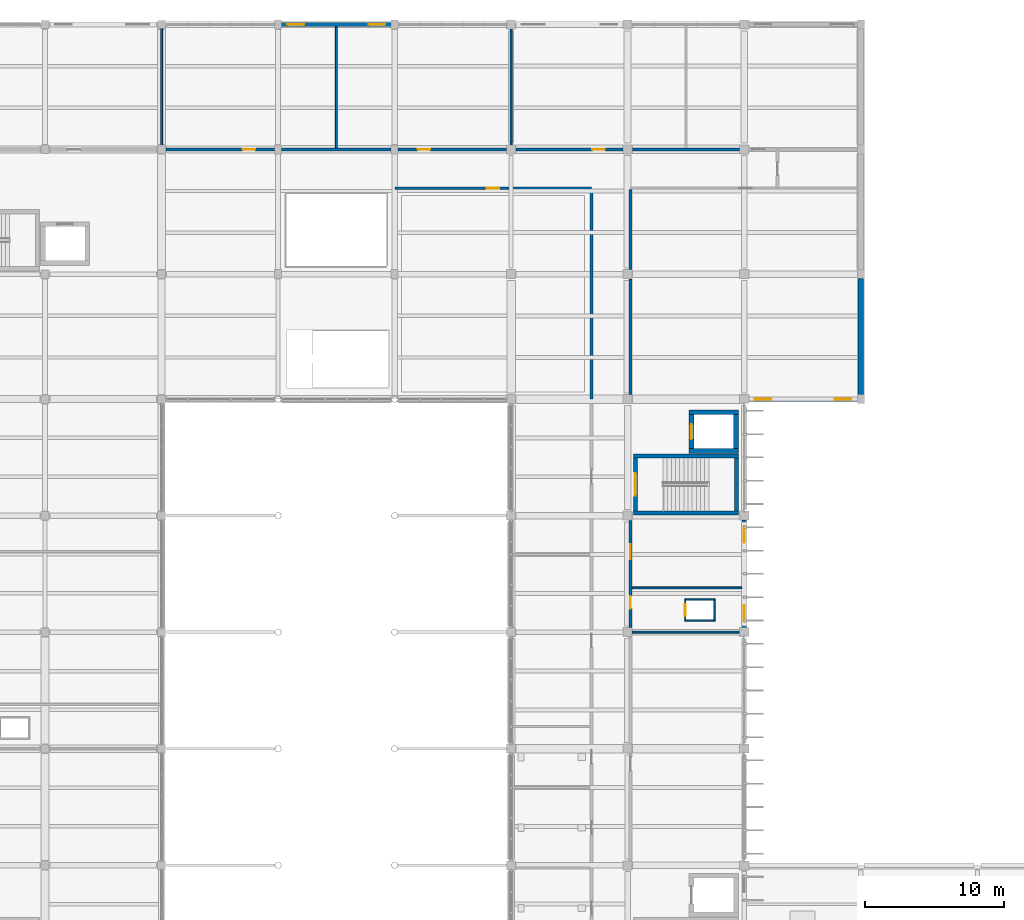
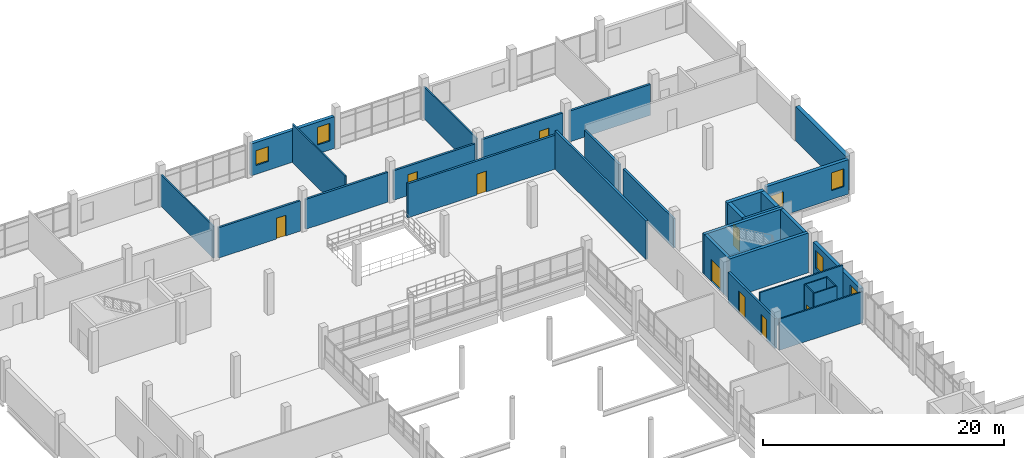
# One storey, part 89 of 101: 31 walls, 9 doors, 6 windows, 15 openings.
"""IFC4 building model written with IfcOpenShell, lengths in metres."""

from ifc_helpers import new_model, si_unit, direction, frame, frame_2d, origin, place, context, subcontext, project, spatial, rectangle, extrude, material, layer, layer_set, type_object, element, fill, save


model = new_model("IFC4")

# Units and contexts
model_context = context("Model", 3, precision=1e-05, world=origin(), true_north=direction((0.0, 1.0)))
body_context = subcontext(model_context, "Body", "Model", "MODEL_VIEW")
ifc_project = project(units=[si_unit("LENGTHUNIT", "METRE"), si_unit("AREAUNIT", "SQUARE_METRE"), si_unit("VOLUMEUNIT", "CUBIC_METRE"), si_unit("PLANEANGLEUNIT", "RADIAN"), si_unit("MASSUNIT", "GRAM", prefix="KILO")], contexts=[model_context])

# Site, building, storey
site_placement = place(None, origin())
site = spatial("IfcSite", under=ifc_project, at=site_placement, CompositionType="ELEMENT")
building_placement = place(site_placement, origin())
building = spatial("IfcBuilding", under=site, at=building_placement, Name="Vireocrest Preparatory School", CompositionType="ELEMENT")
storey_placement = place(building_placement, frame((0.0, 0.0, 4.800048828125)))
storey = spatial("IfcBuildingStorey", under=building, at=storey_placement, Name="L01", CompositionType="ELEMENT", Elevation=4.800048828125)

# Walls
ifc_material_1 = material(Name="Gypsum board on cold-formed steel studs", Category="steel")
ifc_layer_1 = layer(ifc_material_1, 0.139892578125)
ifc_layer_set_1 = layer_set([ifc_layer_1], Name="Gypsum board on cold-formed steel studs")
wall_type_1 = type_object("IfcWallType", Name="Classroom Acoustic Partition Wall 140", PredefinedType="PARTITIONING", material=ifc_layer_set_1)
wall_1_placement = place(storey_placement, frame((67.199951171875, 103.905029296875, 0.0), z_axis=(0.0, 0.0, 1.0), x_axis=(0.0, 1.0, 0.0)))
element("IfcWall", 1, at=wall_1_placement, inside=storey, type_object=wall_type_1, Name="Interior Partition W03 IW_L01_0149", PredefinedType="PARTITIONING", context=body_context, shape_type="SweptSolid", body=[
    extrude(rectangle(XDim=8.72998046875, YDim=0.139892578125, at=frame_2d((4.364990234375, 0.0))), origin(), (0.0, 0.0, 1.0), 3.219970703125),
])
wall_2_placement = place(storey_placement, frame((79.800048828125, 103.905029296875, 0.0), z_axis=(0.0, 0.0, 1.0), x_axis=(0.0, 1.0, 0.0)))
element("IfcWall", 2, at=wall_2_placement, inside=storey, type_object=wall_type_1, Name="Interior Partition W03 IW_L01_0150", PredefinedType="PARTITIONING", context=body_context, shape_type="SweptSolid", body=[
    extrude(rectangle(XDim=8.72998046875, YDim=0.139892578125, at=frame_2d((4.364990234375, 0.0))), origin(), (0.0, 0.0, 1.0), 3.89990234375),
])
wall_3_placement = place(storey_placement, frame((92.39990234375, 103.905029296875, 0.0), z_axis=(0.0, 0.0, 1.0), x_axis=(0.0, 1.0, 0.0)))
element("IfcWall", 3, at=wall_3_placement, inside=storey, type_object=wall_type_1, Name="Interior Partition W03 IW_L01_0151", PredefinedType="PARTITIONING", context=body_context, shape_type="SweptSolid", body=[
    extrude(rectangle(XDim=8.7900390625, YDim=0.139892578125, at=frame_2d((4.39501953125, 0.0))), origin(), (0.0, 0.0, 1.0), 3.27001953125),
])
wall_4_placement = place(storey_placement, frame((101.10498046875, 69.0, 0.0), z_axis=(0.0, 0.0, 1.0), x_axis=(1.0, 0.0, 0.0)))
element("IfcWall", 4, at=wall_4_placement, inside=storey, type_object=wall_type_1, Name="Interior Partition W03 IW_L01_0180", PredefinedType="PARTITIONING", context=body_context, shape_type="SweptSolid", body=[
    extrude(rectangle(XDim=7.989990234375, YDim=0.139892578125, at=frame_2d((3.9951171875, 0.0))), origin(), (0.0, 0.0, 1.0), 3.14990234375),
])
wall_5_placement = place(storey_placement, frame((101.10498046875, 72.199951171875, 0.0), z_axis=(0.0, 0.0, 1.0), x_axis=(1.0, 0.0, 0.0)))
element("IfcWall", 5, at=wall_5_placement, inside=storey, type_object=wall_type_1, Name="Interior Partition W03 IW_L01_0181", PredefinedType="PARTITIONING", context=body_context, shape_type="SweptSolid", body=[
    extrude(rectangle(XDim=7.929931640625, YDim=0.139892578125, at=frame_2d((3.96484375, 0.0))), origin(), (0.0, 0.0, 1.0), 3.89990234375),
])

# Wall, opening, door
ifc_layer_2 = layer(ifc_material_1, 0.199951171875)
ifc_layer_set_2 = layer_set([ifc_layer_2], Name="Gypsum board on cold-formed steel studs")
wall_type_2 = type_object("IfcWallType", Name="Corridor One-Hour Fire Partition 200", PredefinedType="PARTITIONING", material=ifc_layer_set_2)
wall_6_placement = place(storey_placement, frame((67.510009765625, 103.800048828125, 0.0), z_axis=(0.0, 0.0, 1.0), x_axis=(1.0, 0.0, 0.0)))
wall_6 = element("IfcWall", 6, at=wall_6_placement, inside=storey, type_object=wall_type_2, Name="Interior Partition W06 IW_L01_0156", PredefinedType="PARTITIONING", context=body_context, shape_type="SweptSolid", body=[
    extrude(rectangle(XDim=7.830078125, YDim=0.199951171875, at=frame_2d((3.9150390625, 0.0))), origin(), (0.0, 0.0, 1.0), 3.070068359375),
])
opening_1_placement = place(wall_6_placement, frame((5.5400390625, 0.0, 0.0)))
opening_1 = element("IfcOpeningElement", 7, at=opening_1_placement, cuts=wall_6, Name="Opening D-L01-N1N03", PredefinedType="OPENING", context=body_context, shape_type="SweptSolid", body=[
    extrude(rectangle(XDim=0.89990234375, YDim=2.10009765625, at=frame_2d((0.449951171875, 1.050048828125))), frame((0.0, 0.10986328125, 0.0), z_axis=(0.0, -1.0, 0.0), x_axis=(1.0, 0.0, 0.0)), (0.0, 0.0, 1.0), 0.219970703125),
])
ifc_material_2 = material(Name="Solid-core architectural birch timber", Category="wood")
door_type_1 = type_object("IfcDoorType", Name="Office Timber Door 900x2100", OperationType="NOTDEFINED", PredefinedType="DOOR", material=ifc_material_2)
door_1_placement = place(opening_1_placement, origin())
door_1 = element("IfcDoor", 8, at=door_1_placement, inside=storey, type_object=door_type_1, Name="Interior Door D-L01-N1N03", OperationType="SINGLE_SWING_RIGHT", OverallHeight=2.10009765625, OverallWidth=0.89990234375, PredefinedType="DOOR", context=body_context, shape_type="SweptSolid", body=[
    extrude(rectangle(XDim=0.89990234375, YDim=2.10009765625, at=frame_2d((0.449951171875, 1.050048828125))), frame((0.0, 0.02490234375, 0.0), z_axis=(0.0, -1.0, 0.0), x_axis=(1.0, 0.0, 0.0)), (0.0, 0.0, 1.0), 0.050048828125),
])
fill(opening_1, door_1)

# Wall
wall_7_placement = place(storey_placement, frame((75.860107421875, 103.800048828125, 0.0), z_axis=(0.0, 0.0, 1.0), x_axis=(1.0, 0.0, 0.0)))
element("IfcWall", 9, at=wall_7_placement, inside=storey, type_object=wall_type_2, Name="Interior Partition W06 IW_L01_0157", PredefinedType="PARTITIONING", context=body_context, shape_type="SweptSolid", body=[
    extrude(rectangle(XDim=7.8798828125, YDim=0.199951171875, at=frame_2d((3.93994140625, 0.0))), origin(), (0.0, 0.0, 1.0), 3.02001953125),
])

# Wall, opening, door
wall_8_placement = place(storey_placement, frame((84.260009765625, 103.800048828125, 0.0), z_axis=(0.0, 0.0, 1.0), x_axis=(1.0, 0.0, 0.0)))
wall_8 = element("IfcWall", 10, at=wall_8_placement, inside=storey, type_object=wall_type_2, Name="Interior Partition W06 IW_L01_0158", PredefinedType="PARTITIONING", context=body_context, shape_type="SweptSolid", body=[
    extrude(rectangle(XDim=7.804931640625, YDim=0.199951171875, at=frame_2d((3.90234375, 0.0))), origin(), (0.0, 0.0, 1.0), 2.969970703125),
])
opening_2_placement = place(wall_8_placement, frame((1.389892578125, 0.0, 0.0)))
opening_2 = element("IfcOpeningElement", 11, at=opening_2_placement, cuts=wall_8, Name="Opening D-L01-N1N04", PredefinedType="OPENING", context=body_context, shape_type="SweptSolid", body=[
    extrude(rectangle(XDim=0.89990234375, YDim=2.10009765625, at=frame_2d((0.449951171875, 1.050048828125))), frame((0.0, 0.10986328125, 0.0), z_axis=(0.0, -1.0, 0.0), x_axis=(1.0, 0.0, 0.0)), (0.0, 0.0, 1.0), 0.219970703125),
])
door_2_placement = place(opening_2_placement, origin())
door_2 = element("IfcDoor", 12, at=door_2_placement, inside=storey, type_object=door_type_1, Name="Interior Door D-L01-N1N04", OperationType="SINGLE_SWING_LEFT", OverallHeight=2.10009765625, OverallWidth=0.89990234375, PredefinedType="DOOR", context=body_context, shape_type="SweptSolid", body=[
    extrude(rectangle(XDim=0.89990234375, YDim=2.10009765625, at=frame_2d((0.449951171875, 1.050048828125))), frame((0.0, 0.02490234375, 0.0), z_axis=(0.0, -1.0, 0.0), x_axis=(1.0, 0.0, 0.0)), (0.0, 0.0, 1.0), 0.050048828125),
])
fill(opening_2, door_2)

wall_9_placement = place(storey_placement, frame((92.735107421875, 103.800048828125, 0.0), z_axis=(0.0, 0.0, 1.0), x_axis=(1.0, 0.0, 0.0)))
wall_9 = element("IfcWall", 13, at=wall_9_placement, inside=storey, type_object=wall_type_2, Name="Interior Partition W06 IW_L01_0159", PredefinedType="PARTITIONING", context=body_context, shape_type="SweptSolid", body=[
    extrude(rectangle(XDim=7.72998046875, YDim=0.199951171875, at=frame_2d((3.864990234375, 0.0))), origin(), (0.0, 0.0, 1.0), 3.169921875),
])
opening_3_placement = place(wall_9_placement, frame((5.514892578125, 0.0, 0.0)))
opening_3 = element("IfcOpeningElement", 14, at=opening_3_placement, cuts=wall_9, Name="Opening D-L01-N1N05", PredefinedType="OPENING", context=body_context, shape_type="SweptSolid", body=[
    extrude(rectangle(XDim=0.89990234375, YDim=2.10009765625, at=frame_2d((0.449951171875, 1.050048828125))), frame((0.0, 0.10986328125, 0.0), z_axis=(0.0, -1.0, 0.0), x_axis=(1.0, 0.0, 0.0)), (0.0, 0.0, 1.0), 0.219970703125),
])
door_3_placement = place(opening_3_placement, origin())
door_3 = element("IfcDoor", 15, at=door_3_placement, inside=storey, type_object=door_type_1, Name="Interior Door D-L01-N1N05", OperationType="SINGLE_SWING_RIGHT", OverallHeight=2.10009765625, OverallWidth=0.89990234375, PredefinedType="DOOR", context=body_context, shape_type="SweptSolid", body=[
    extrude(rectangle(XDim=0.89990234375, YDim=2.10009765625, at=frame_2d((0.449951171875, 1.050048828125))), frame((0.0, 0.02490234375, 0.0), z_axis=(0.0, -1.0, 0.0), x_axis=(1.0, 0.0, 0.0)), (0.0, 0.0, 1.0), 0.050048828125),
])
fill(opening_3, door_3)

# Wall
wall_10_placement = place(storey_placement, frame((101.135009765625, 103.800048828125, 0.0), z_axis=(0.0, 0.0, 1.0), x_axis=(1.0, 0.0, 0.0)))
element("IfcWall", 16, at=wall_10_placement, inside=storey, type_object=wall_type_2, Name="Interior Partition W06 IW_L01_0160", PredefinedType="PARTITIONING", context=body_context, shape_type="SweptSolid", body=[
    extrude(rectangle(XDim=7.72998046875, YDim=0.199951171875, at=frame_2d((3.864990234375, 0.0))), origin(), (0.0, 0.0, 1.0), 3.119873046875),
])

# Wall, opening, door
wall_11_placement = place(storey_placement, frame((84.010009765625, 101.0, 0.0), z_axis=(0.0, 0.0, 1.0), x_axis=(1.0, 0.0, 0.0)))
wall_11 = element("IfcWall", 17, at=wall_11_placement, inside=storey, type_object=wall_type_2, Name="Interior Partition W06 IW_L01_0162", PredefinedType="PARTITIONING", context=body_context, shape_type="SweptSolid", body=[
    extrude(rectangle(XDim=14.179931640625, YDim=0.199951171875, at=frame_2d((7.08984375, 0.0))), origin(), (0.0, 0.0, 1.0), 3.43994140625),
])
opening_4_placement = place(wall_11_placement, frame((6.639892578125, 0.0, 0.0)))
opening_4 = element("IfcOpeningElement", 18, at=opening_4_placement, cuts=wall_11, Name="Opening D-L01-N1SW01", PredefinedType="OPENING", context=body_context, shape_type="SweptSolid", body=[
    extrude(rectangle(XDim=0.89990234375, YDim=2.10009765625, at=frame_2d((0.449951171875, 1.050048828125))), frame((0.0, 0.10986328125, 0.0), z_axis=(0.0, -1.0, 0.0), x_axis=(1.0, 0.0, 0.0)), (0.0, 0.0, 1.0), 0.219970703125),
])
door_4_placement = place(opening_4_placement, origin())
door_4 = element("IfcDoor", 19, at=door_4_placement, inside=storey, type_object=door_type_1, Name="Interior Door D-L01-N1SW01", OperationType="SINGLE_SWING_RIGHT", OverallHeight=2.10009765625, OverallWidth=0.89990234375, PredefinedType="DOOR", context=body_context, shape_type="SweptSolid", body=[
    extrude(rectangle(XDim=0.89990234375, YDim=2.10009765625, at=frame_2d((0.449951171875, 1.050048828125))), frame((0.0, 0.02490234375, 0.0), z_axis=(0.0, -1.0, 0.0), x_axis=(1.0, 0.0, 0.0)), (0.0, 0.0, 1.0), 0.050048828125),
])
fill(opening_4, door_4)

# Walls
wall_12_placement = place(storey_placement, frame((98.199951171875, 85.81005859375, 0.0), z_axis=(0.0, 0.0, 1.0), x_axis=(0.0, 1.0, 0.0)))
element("IfcWall", 20, at=wall_12_placement, inside=storey, type_object=wall_type_2, Name="Interior Partition W06 IW_L01_0163", PredefinedType="PARTITIONING", context=body_context, shape_type="SweptSolid", body=[
    extrude(rectangle(XDim=15.0849609375, YDim=0.199951171875, at=frame_2d((7.54248046875, 0.0))), origin(), (0.0, 0.0, 1.0), 3.89990234375),
])
wall_13_placement = place(storey_placement, frame((101.0, 86.135009765625, 0.0), z_axis=(0.0, 0.0, 1.0), x_axis=(0.0, 1.0, 0.0)))
element("IfcWall", 21, at=wall_13_placement, inside=storey, type_object=wall_type_2, Name="Interior Partition W06 IW_L01_0165", PredefinedType="PARTITIONING", context=body_context, shape_type="SweptSolid", body=[
    extrude(rectangle(XDim=8.330078125, YDim=0.199951171875, at=frame_2d((4.1650390625, 0.0))), origin(), (0.0, 0.0, 1.0), 2.949951171875),
])
wall_14_placement = place(storey_placement, frame((101.0, 95.135009765625, 0.0), z_axis=(0.0, 0.0, 1.0), x_axis=(0.0, 1.0, 0.0)))
element("IfcWall", 22, at=wall_14_placement, inside=storey, type_object=wall_type_2, Name="Interior Partition W06 IW_L01_0166", PredefinedType="PARTITIONING", context=body_context, shape_type="SweptSolid", body=[
    extrude(rectangle(XDim=5.760009765625, YDim=0.199951171875, at=frame_2d((2.8798828125, 0.0))), origin(), (0.0, 0.0, 1.0), 2.969970703125),
])

# Wall, openings, doors
wall_15_placement = place(storey_placement, frame((101.0, 69.3349609375, 0.0), z_axis=(0.0, 0.0, 1.0), x_axis=(0.0, 1.0, 0.0)))
wall_15 = element("IfcWall", 23, at=wall_15_placement, inside=storey, type_object=wall_type_2, Name="Interior Partition W06 IW_L01_0184", PredefinedType="PARTITIONING", context=body_context, shape_type="SweptSolid", body=[
    extrude(rectangle(XDim=7.72998046875, YDim=0.199951171875, at=frame_2d((3.864990234375, 0.0))), origin(), (0.0, 0.0, 1.0), 3.050048828125),
])
opening_5_placement = place(wall_15_placement, frame((1.364990234375, 0.0, 0.0)))
opening_5 = element("IfcOpeningElement", 24, at=opening_5_placement, cuts=wall_15, Name="Opening D-L01-E1EN02", PredefinedType="OPENING", context=body_context, shape_type="SweptSolid", body=[
    extrude(rectangle(XDim=0.89990234375, YDim=2.10009765625, at=frame_2d((0.449951171875, 1.050048828125))), frame((0.0, 0.10986328125, 0.0), z_axis=(0.0, -1.0, 0.0), x_axis=(1.0, 0.0, 0.0)), (0.0, 0.0, 1.0), 0.219970703125),
])
opening_6_placement = place(wall_15_placement, frame((4.93994140625, 0.0, 0.0)))
opening_6 = element("IfcOpeningElement", 25, at=opening_6_placement, cuts=wall_15, Name="Opening D-L01-E1EN03", PredefinedType="OPENING", context=body_context, shape_type="SweptSolid", body=[
    extrude(rectangle(XDim=1.050048828125, YDim=2.199951171875, at=frame_2d((0.52490234375, 1.10009765625))), frame((0.0, 0.10986328125, 0.0), z_axis=(0.0, -1.0, 0.0), x_axis=(1.0, 0.0, 0.0)), (0.0, 0.0, 1.0), 0.219970703125),
])
ifc_material_3 = material(Name="Painted galvanized hollow steel", Category="steel")
door_type_2 = type_object("IfcDoorType", Name="Laboratory Fire Door 1050x2200", OperationType="NOTDEFINED", PredefinedType="DOOR", material=ifc_material_3)
door_5_placement = place(opening_6_placement, origin())
door_5 = element("IfcDoor", 26, at=door_5_placement, inside=storey, type_object=door_type_2, Name="Interior Door D-L01-E1EN03", OperationType="SINGLE_SWING_RIGHT", OverallHeight=2.199951171875, OverallWidth=1.050048828125, PredefinedType="DOOR", context=body_context, shape_type="SweptSolid", body=[
    extrude(rectangle(XDim=1.050048828125, YDim=2.199951171875, at=frame_2d((0.52490234375, 1.10009765625))), frame((0.0, 0.02490234375, 0.0), z_axis=(0.0, -1.0, 0.0), x_axis=(1.0, 0.0, 0.0)), (0.0, 0.0, 1.0), 0.050048828125),
])
fill(opening_6, door_5)
door_6_placement = place(opening_5_placement, origin())
door_6 = element("IfcDoor", 27, at=door_6_placement, inside=storey, type_object=door_type_1, Name="Interior Door D-L01-E1EN02", OperationType="SINGLE_SWING_LEFT", OverallHeight=2.10009765625, OverallWidth=0.89990234375, PredefinedType="DOOR", context=body_context, shape_type="SweptSolid", body=[
    extrude(rectangle(XDim=0.89990234375, YDim=2.10009765625, at=frame_2d((0.449951171875, 1.050048828125))), frame((0.0, 0.02490234375, 0.0), z_axis=(0.0, -1.0, 0.0), x_axis=(1.0, 0.0, 0.0)), (0.0, 0.0, 1.0), 0.050048828125),
])
fill(opening_5, door_6)

# Wall, openings, windows
ifc_material_4 = material(Name="Precast white concrete 40 MPa", Category="concrete")
ifc_layer_3 = layer(ifc_material_4, 0.320068359375)
ifc_layer_set_3 = layer_set([ifc_layer_3], Name="Precast white concrete 40 MPa")
wall_type_3 = type_object("IfcWallType", Name="High-Tech Insulated Rainscreen External Wall 320", PredefinedType="SOLIDWALL", material=ifc_layer_set_3)
wall_16_placement = place(storey_placement, frame((109.199951171875, 69.300048828125, 0.0), z_axis=(0.0, 0.0, 1.0), x_axis=(0.0, 1.0, 0.0)))
wall_16 = element("IfcWall", 28, at=wall_16_placement, inside=storey, type_object=wall_type_3, Name="External Wall W12 EW_L01_0159", PredefinedType="SOLIDWALL", context=body_context, shape_type="SweptSolid", body=[
    extrude(rectangle(XDim=7.800048828125, YDim=0.320068359375, at=frame_2d((3.89990234375, 0.0))), origin(), (0.0, 0.0, 1.0), 3.25),
])
opening_7_placement = place(wall_16_placement, frame((0.449951171875, 0.0, 0.85009765625)))
opening_7 = element("IfcOpeningElement", 29, at=opening_7_placement, cuts=wall_16, Name="Opening WN02", PredefinedType="OPENING", context=body_context, shape_type="SweptSolid", body=[
    extrude(rectangle(XDim=1.199951171875, YDim=1.800048828125, at=frame_2d((0.60009765625, 0.89990234375))), frame((0.0, 0.169921875, 0.0), z_axis=(0.0, -1.0, 0.0), x_axis=(1.0, 0.0, 0.0)), (0.0, 0.0, 1.0), 0.340087890625),
])
opening_8_placement = place(wall_16_placement, frame((6.14990234375, 0.0, 0.85009765625)))
opening_8 = element("IfcOpeningElement", 30, at=opening_8_placement, cuts=wall_16, Name="Opening WN02", PredefinedType="OPENING", context=body_context, shape_type="SweptSolid", body=[
    extrude(rectangle(XDim=1.199951171875, YDim=1.800048828125, at=frame_2d((0.60009765625, 0.89990234375))), frame((0.0, 0.169921875, 0.0), z_axis=(0.0, -1.0, 0.0), x_axis=(1.0, 0.0, 0.0)), (0.0, 0.0, 1.0), 0.340087890625),
])
ifc_material_5 = material(Name="Thermally broken aluminium EN AW-6063-T6", Category="aluminium")
window_type_1 = type_object("IfcWindowType", Name="Counseling Window 1200x1800", PartitioningType="SINGLE_PANEL", PredefinedType="WINDOW", material=ifc_material_5)
window_1_placement = place(opening_7_placement, origin())
window_1 = element("IfcWindow", 31, at=window_1_placement, inside=storey, type_object=window_type_1, Name="Window W-L01-058 (WN02)", OverallHeight=1.800048828125, OverallWidth=1.199951171875, PartitioningType="SINGLE_PANEL", PredefinedType="WINDOW", context=body_context, shape_type="SweptSolid", body=[
    extrude(rectangle(XDim=1.199951171875, YDim=1.800048828125, at=frame_2d((0.60009765625, 0.89990234375))), frame((0.0, 0.030029296875, 0.0), z_axis=(0.0, -1.0, 0.0), x_axis=(1.0, 0.0, 0.0)), (0.0, 0.0, 1.0), 0.06005859375),
])
fill(opening_7, window_1)
window_2_placement = place(opening_8_placement, origin())
window_2 = element("IfcWindow", 32, at=window_2_placement, inside=storey, type_object=window_type_1, Name="Window W-L01-059 (WN02)", OverallHeight=1.800048828125, OverallWidth=1.199951171875, PartitioningType="SINGLE_PANEL", PredefinedType="WINDOW", context=body_context, shape_type="SweptSolid", body=[
    extrude(rectangle(XDim=1.199951171875, YDim=1.800048828125, at=frame_2d((0.60009765625, 0.89990234375))), frame((0.0, 0.030029296875, 0.0), z_axis=(0.0, -1.0, 0.0), x_axis=(1.0, 0.0, 0.0)), (0.0, 0.0, 1.0), 0.06005859375),
])
fill(opening_8, window_2)

wall_17_placement = place(storey_placement, frame((109.5, 85.800048828125, 0.0), z_axis=(0.0, 0.0, 1.0), x_axis=(1.0, 0.0, 0.0)))
wall_17 = element("IfcWall", 33, at=wall_17_placement, inside=storey, type_object=wall_type_3, Name="External Wall W12 EW_L01_0161", PredefinedType="SOLIDWALL", context=body_context, shape_type="SweptSolid", body=[
    extrude(rectangle(XDim=7.875, YDim=0.320068359375, at=frame_2d((3.9375, 0.0))), origin(), (0.0, 0.0, 1.0), 3.47998046875),
])
opening_9_placement = place(wall_17_placement, frame((0.449951171875, 0.0, 0.89990234375)))
opening_9 = element("IfcOpeningElement", 34, at=opening_9_placement, cuts=wall_17, Name="Opening WN01", PredefinedType="OPENING", context=body_context, shape_type="SweptSolid", body=[
    extrude(rectangle(XDim=1.199951171875, YDim=1.5, at=frame_2d((0.60009765625, 0.75))), frame((0.0, 0.169921875, 0.0), z_axis=(0.0, -1.0, 0.0), x_axis=(1.0, 0.0, 0.0)), (0.0, 0.0, 1.0), 0.340087890625),
])
opening_10_placement = place(wall_17_placement, frame((6.22509765625, 0.0, 0.89990234375)))
opening_10 = element("IfcOpeningElement", 35, at=opening_10_placement, cuts=wall_17, Name="Opening WN02", PredefinedType="OPENING", context=body_context, shape_type="SweptSolid", body=[
    extrude(rectangle(XDim=1.199951171875, YDim=1.800048828125, at=frame_2d((0.60009765625, 0.89990234375))), frame((0.0, 0.169921875, 0.0), z_axis=(0.0, -1.0, 0.0), x_axis=(1.0, 0.0, 0.0)), (0.0, 0.0, 1.0), 0.340087890625),
])
window_3_placement = place(opening_10_placement, origin())
window_3 = element("IfcWindow", 36, at=window_3_placement, inside=storey, type_object=window_type_1, Name="Window W-L01-061 (WN02)", OverallHeight=1.800048828125, OverallWidth=1.199951171875, PartitioningType="SINGLE_PANEL", PredefinedType="WINDOW", context=body_context, shape_type="SweptSolid", body=[
    extrude(rectangle(XDim=1.199951171875, YDim=1.800048828125, at=frame_2d((0.60009765625, 0.89990234375))), frame((0.0, 0.030029296875, 0.0), z_axis=(0.0, -1.0, 0.0), x_axis=(1.0, 0.0, 0.0)), (0.0, 0.0, 1.0), 0.06005859375),
])
fill(opening_10, window_3)
window_type_2 = type_object("IfcWindowType", Name="Office Punched Window 1200x1500", PartitioningType="SINGLE_PANEL", PredefinedType="WINDOW", material=ifc_material_5)
window_4_placement = place(opening_9_placement, origin())
window_4 = element("IfcWindow", 37, at=window_4_placement, inside=storey, type_object=window_type_2, Name="Window W-L01-060 (WN01)", OverallHeight=1.5, OverallWidth=1.199951171875, PartitioningType="SINGLE_PANEL", PredefinedType="WINDOW", context=body_context, shape_type="SweptSolid", body=[
    extrude(rectangle(XDim=1.199951171875, YDim=1.5, at=frame_2d((0.60009765625, 0.75))), frame((0.0, 0.030029296875, 0.0), z_axis=(0.0, -1.0, 0.0), x_axis=(1.0, 0.0, 0.0)), (0.0, 0.0, 1.0), 0.06005859375),
])
fill(opening_9, window_4)

wall_18_placement = place(storey_placement, frame((75.824951171875, 112.800048828125, 0.0), z_axis=(0.0, 0.0, 1.0), x_axis=(1.0, 0.0, 0.0)))
wall_18 = element("IfcWall", 38, at=wall_18_placement, inside=storey, type_object=wall_type_3, Name="External Wall W12 EW_L01_0169", PredefinedType="SOLIDWALL", context=body_context, shape_type="SweptSolid", body=[
    extrude(rectangle(XDim=7.949951171875, YDim=0.320068359375, at=frame_2d((3.97509765625, 0.0))), origin(), (0.0, 0.0, 1.0), 3.219970703125),
])
opening_11_placement = place(wall_18_placement, frame((0.449951171875, 0.0, 0.89990234375)))
opening_11 = element("IfcOpeningElement", 39, at=opening_11_placement, cuts=wall_18, Name="Opening WN01", PredefinedType="OPENING", context=body_context, shape_type="SweptSolid", body=[
    extrude(rectangle(XDim=1.199951171875, YDim=1.5, at=frame_2d((0.60009765625, 0.75))), frame((0.0, 0.169921875, 0.0), z_axis=(0.0, -1.0, 0.0), x_axis=(1.0, 0.0, 0.0)), (0.0, 0.0, 1.0), 0.340087890625),
])
opening_12_placement = place(wall_18_placement, frame((6.300048828125, 0.0, 0.89990234375)))
opening_12 = element("IfcOpeningElement", 40, at=opening_12_placement, cuts=wall_18, Name="Opening WN02", PredefinedType="OPENING", context=body_context, shape_type="SweptSolid", body=[
    extrude(rectangle(XDim=1.199951171875, YDim=1.800048828125, at=frame_2d((0.60009765625, 0.89990234375))), frame((0.0, 0.169921875, 0.0), z_axis=(0.0, -1.0, 0.0), x_axis=(1.0, 0.0, 0.0)), (0.0, 0.0, 1.0), 0.340087890625),
])
window_5_placement = place(opening_12_placement, origin())
window_5 = element("IfcWindow", 41, at=window_5_placement, inside=storey, type_object=window_type_1, Name="Window W-L01-067 (WN02)", OverallHeight=1.800048828125, OverallWidth=1.199951171875, PartitioningType="SINGLE_PANEL", PredefinedType="WINDOW", context=body_context, shape_type="SweptSolid", body=[
    extrude(rectangle(XDim=1.199951171875, YDim=1.800048828125, at=frame_2d((0.60009765625, 0.89990234375))), frame((0.0, 0.030029296875, 0.0), z_axis=(0.0, -1.0, 0.0), x_axis=(1.0, 0.0, 0.0)), (0.0, 0.0, 1.0), 0.06005859375),
])
fill(opening_12, window_5)
window_6_placement = place(opening_11_placement, origin())
window_6 = element("IfcWindow", 42, at=window_6_placement, inside=storey, type_object=window_type_2, Name="Window W-L01-066 (WN01)", OverallHeight=1.5, OverallWidth=1.199951171875, PartitioningType="SINGLE_PANEL", PredefinedType="WINDOW", context=body_context, shape_type="SweptSolid", body=[
    extrude(rectangle(XDim=1.199951171875, YDim=1.5, at=frame_2d((0.60009765625, 0.75))), frame((0.0, 0.030029296875, 0.0), z_axis=(0.0, -1.0, 0.0), x_axis=(1.0, 0.0, 0.0)), (0.0, 0.0, 1.0), 0.06005859375),
])
fill(opening_11, window_6)

# Walls
ifc_layer_4 = layer(ifc_material_1, 0.10009765625)
ifc_layer_set_4 = layer_set([ifc_layer_4], Name="Gypsum board on cold-formed steel studs")
wall_type_4 = type_object("IfcWallType", Name="Riser Shaft Lining Wall 100", PredefinedType="PARTITIONING", material=ifc_layer_set_4)
for number, where, z_axis, x_axis, name in (
    (43, (104.89990234375, 69.85009765625, 0.0), (0.0, 0.0, 1.0), (1.0, 0.0, 0.0), "MEP Riser Shaft Wall W01 EAST_MEP-L01-S"),
    (44, (104.89990234375, 71.35009765625, 0.0), (0.0, 0.0, 1.0), (1.0, 0.0, 0.0), "MEP Riser Shaft Wall W01 EAST_MEP-L01-N"),
):
    element("IfcWall", number, at=place(storey_placement, frame(where, z_axis=z_axis, x_axis=x_axis)), inside=storey, type_object=wall_type_4, Name=name, PredefinedType="PARTITIONING", context=body_context, shape_type="SweptSolid", body=[
        extrude(rectangle(XDim=2.2001953125, YDim=0.10009765625, at=frame_2d((1.10009765625, 0.0))), origin(), (0.0, 0.0, 1.0), 3.89990234375),
    ])

# Wall, opening, door
wall_19_placement = place(storey_placement, frame((104.949951171875, 69.89990234375, 0.0), z_axis=(0.0, 0.0, 1.0), x_axis=(0.0, 1.0, 0.0)))
wall_19 = element("IfcWall", 45, at=wall_19_placement, inside=storey, type_object=wall_type_4, Name="MEP Riser Shaft Wall W01 EAST_MEP-L01-W", PredefinedType="PARTITIONING", context=body_context, shape_type="SweptSolid", body=[
    extrude(rectangle(XDim=1.400146484375, YDim=0.10009765625, at=frame_2d((0.7001953125, 0.0))), origin(), (0.0, 0.0, 1.0), 3.89990234375),
])
opening_13_placement = place(wall_19_placement, frame((0.27490234375, 0.0, 0.0)))
opening_13 = element("IfcOpeningElement", 46, at=opening_13_placement, cuts=wall_19, Name="Opening D-L01-RSE", PredefinedType="OPENING", context=body_context, shape_type="SweptSolid", body=[
    extrude(rectangle(XDim=0.85009765625, YDim=2.050048828125, at=frame_2d((0.425048828125, 1.02490234375))), frame((0.0, 0.06005859375, 0.0), z_axis=(0.0, -1.0, 0.0), x_axis=(1.0, 0.0, 0.0)), (0.0, 0.0, 1.0), 0.1201171875),
])
door_type_3 = type_object("IfcDoorType", Name="Riser Access Steel Door 850x2050", OperationType="NOTDEFINED", PredefinedType="DOOR", material=ifc_material_3)
door_7_placement = place(opening_13_placement, origin())
door_7 = element("IfcDoor", 47, at=door_7_placement, inside=storey, type_object=door_type_3, Name="Riser Shaft Access Door D-L01-RSE", OperationType="SINGLE_SWING_RIGHT", OverallHeight=2.050048828125, OverallWidth=0.85009765625, PredefinedType="DOOR", context=body_context, shape_type="SweptSolid", body=[
    extrude(rectangle(XDim=0.85009765625, YDim=2.050048828125, at=frame_2d((0.425048828125, 1.02490234375))), frame((0.0, 0.02490234375, 0.0), z_axis=(0.0, -1.0, 0.0), x_axis=(1.0, 0.0, 0.0)), (0.0, 0.0, 1.0), 0.050048828125),
])
fill(opening_13, door_7)

# Walls
wall_20_placement = place(storey_placement, frame((107.050048828125, 69.89990234375, 0.0), z_axis=(0.0, 0.0, 1.0), x_axis=(0.0, 1.0, 0.0)))
element("IfcWall", 48, at=wall_20_placement, inside=storey, type_object=wall_type_4, Name="MEP Riser Shaft Wall W01 EAST_MEP-L01-E", PredefinedType="PARTITIONING", context=body_context, shape_type="SweptSolid", body=[
    extrude(rectangle(XDim=1.400146484375, YDim=0.10009765625, at=frame_2d((0.7001953125, 0.0))), origin(), (0.0, 0.0, 1.0), 3.89990234375),
])
ifc_material_6 = material(Name="Concrete 45 MPa", Category="concrete")
ifc_layer_5 = layer(ifc_material_6, 0.35009765625)
ifc_layer_set_5 = layer_set([ifc_layer_5], Name="Concrete 45 MPa")
wall_type_5 = type_object("IfcWallType", Name="Two-Hour RC Lift Core Shear Wall 350", PredefinedType="SHEAR", material=ifc_layer_set_5)
for number, where, z_axis, x_axis, name in (
    (49, (105.22509765625, 82.050048828125, 0.0), (0.0, 0.0, 1.0), (1.0, 0.0, 0.0), "Lift Core Shear Wall LF4 L01-S"),
    (50, (105.22509765625, 84.85009765625, 0.0), (0.0, 0.0, 1.0), (1.0, 0.0, 0.0), "Lift Core Shear Wall LF4 L01-N"),
):
    element("IfcWall", number, at=place(storey_placement, frame(where, z_axis=z_axis, x_axis=x_axis)), inside=storey, type_object=wall_type_5, Name=name, PredefinedType="SHEAR", context=body_context, shape_type="SweptSolid", body=[
        extrude(rectangle(XDim=3.5498046875, YDim=0.35009765625, at=frame_2d((1.77490234375, 0.0))), origin(), (0.0, 0.0, 1.0), 3.919921875),
    ])

# Wall, opening, door
wall_21_placement = place(storey_placement, frame((105.39990234375, 82.22509765625, 0.0), z_axis=(0.0, 0.0, 1.0), x_axis=(0.0, 1.0, 0.0)))
wall_21 = element("IfcWall", 51, at=wall_21_placement, inside=storey, type_object=wall_type_5, Name="Lift Core Shear Wall LF4 L01-W", PredefinedType="SHEAR", context=body_context, shape_type="SweptSolid", body=[
    extrude(rectangle(XDim=2.449951171875, YDim=0.35009765625, at=frame_2d((1.22509765625, 0.0))), origin(), (0.0, 0.0, 1.0), 3.919921875),
])
opening_14_placement = place(wall_21_placement, frame((0.675048828125, 0.0, 0.0)))
opening_14 = element("IfcOpeningElement", 52, at=opening_14_placement, cuts=wall_21, Name="Opening LD-LF4-L01", PredefinedType="OPENING", context=body_context, shape_type="SweptSolid", body=[
    extrude(rectangle(XDim=1.10009765625, YDim=2.199951171875, at=frame_2d((0.550048828125, 1.10009765625))), frame((0.0, 0.18505859375, 0.0), z_axis=(0.0, -1.0, 0.0), x_axis=(1.0, 0.0, 0.0)), (0.0, 0.0, 1.0), 0.3701171875),
])
door_type_4 = type_object("IfcDoorType", Name="Lift Landing Sliding Door 1100x2200", OperationType="DOUBLE_DOOR_SLIDING", PredefinedType="DOOR", material=ifc_material_3)
door_8_placement = place(opening_14_placement, origin())
door_8 = element("IfcDoor", 53, at=door_8_placement, inside=storey, type_object=door_type_4, Name="Lift Landing Door LD-LF4-L01", OperationType="DOUBLE_DOOR_SLIDING", OverallHeight=2.199951171875, OverallWidth=1.10009765625, PredefinedType="DOOR", context=body_context, shape_type="SweptSolid", body=[
    extrude(rectangle(XDim=1.10009765625, YDim=2.199951171875, at=frame_2d((0.550048828125, 1.10009765625))), frame((0.0, 0.02490234375, 0.0), z_axis=(0.0, -1.0, 0.0), x_axis=(1.0, 0.0, 0.0)), (0.0, 0.0, 1.0), 0.050048828125),
])
fill(opening_14, door_8)

# Walls
wall_22_placement = place(storey_placement, frame((108.60009765625, 82.22509765625, 0.0), z_axis=(0.0, 0.0, 1.0), x_axis=(0.0, 1.0, 0.0)))
element("IfcWall", 54, at=wall_22_placement, inside=storey, type_object=wall_type_5, Name="Lift Core Shear Wall LF4 L01-E", PredefinedType="SHEAR", context=body_context, shape_type="SweptSolid", body=[
    extrude(rectangle(XDim=2.449951171875, YDim=0.35009765625, at=frame_2d((1.22509765625, 0.0))), origin(), (0.0, 0.0, 1.0), 3.919921875),
])
ifc_layer_6 = layer(ifc_material_6, 0.3798828125)
ifc_layer_set_6 = layer_set([ifc_layer_6], Name="Concrete 45 MPa")
wall_type_6 = type_object("IfcWallType", Name="Two-Hour RC Lot-Line Shear Wall 380", PredefinedType="SHEAR", material=ifc_layer_set_6)
wall_23_placement = place(storey_placement, frame((117.60009765625, 86.10009765625, 0.0), z_axis=(0.0, 0.0, 1.0), x_axis=(0.0, 1.0, 0.0)))
element("IfcWall", 55, at=wall_23_placement, inside=storey, type_object=wall_type_6, Name="External Wall PW1 PARTY_L01_0162", PredefinedType="SHEAR", context=body_context, shape_type="SweptSolid", body=[
    extrude(rectangle(XDim=8.39990234375, YDim=0.3798828125, at=frame_2d((4.199951171875, 0.0))), origin(), (0.0, 0.0, 1.0), 3.47998046875),
])
ifc_layer_7 = layer(ifc_material_6, 0.300048828125)
ifc_layer_set_7 = layer_set([ifc_layer_7], Name="Concrete 45 MPa")
wall_type_7 = type_object("IfcWallType", Name="Two-Hour RC Stair Shaft Shear Wall 300", PredefinedType="SHEAR", material=ifc_layer_set_7)
for number, where, z_axis, x_axis, name in (
    (56, (101.199951171875, 77.60009765625, 0.0), (0.0, 0.0, 1.0), (1.0, 0.0, 0.0), "Stair Core Shear Wall ST4 L01-S"),
    (57, (101.199951171875, 81.699951171875, 0.0), (0.0, 0.0, 1.0), (1.0, 0.0, 0.0), "Stair Core Shear Wall ST4 L01-N"),
):
    element("IfcWall", number, at=place(storey_placement, frame(where, z_axis=z_axis, x_axis=x_axis)), inside=storey, type_object=wall_type_7, Name=name, PredefinedType="SHEAR", context=body_context, shape_type="SweptSolid", body=[
        extrude(rectangle(XDim=7.60009765625, YDim=0.300048828125, at=frame_2d((3.800048828125, 0.0))), origin(), (0.0, 0.0, 1.0), 4.02490234375),
    ])

# Wall, opening, door
wall_24_placement = place(storey_placement, frame((101.35009765625, 77.75, 0.0), z_axis=(0.0, 0.0, 1.0), x_axis=(0.0, 1.0, 0.0)))
wall_24 = element("IfcWall", 58, at=wall_24_placement, inside=storey, type_object=wall_type_7, Name="Stair Core Shear Wall ST4 L01-W", PredefinedType="SHEAR", context=body_context, shape_type="SweptSolid", body=[
    extrude(rectangle(XDim=3.800048828125, YDim=0.300048828125, at=frame_2d((1.89990234375, 0.0))), origin(), (0.0, 0.0, 1.0), 4.02490234375),
])
opening_15_placement = place(wall_24_placement, frame((1.10009765625, 0.0, 0.0)))
opening_15 = element("IfcOpeningElement", 59, at=opening_15_placement, cuts=wall_24, Name="Opening SD-ST4-L01", PredefinedType="OPENING", context=body_context, shape_type="SweptSolid", body=[
    extrude(rectangle(XDim=1.60009765625, YDim=2.199951171875, at=frame_2d((0.800048828125, 1.10009765625))), frame((0.0, 0.159912109375, 0.0), z_axis=(0.0, -1.0, 0.0), x_axis=(1.0, 0.0, 0.0)), (0.0, 0.0, 1.0), 0.320068359375),
])
door_type_5 = type_object("IfcDoorType", Name="Stair Core Lobby Fire Door 1600x2200", OperationType="DOUBLE_DOOR_SINGLE_SWING", PredefinedType="DOOR", material=ifc_material_3)
door_9_placement = place(opening_15_placement, origin())
door_9 = element("IfcDoor", 60, at=door_9_placement, inside=storey, type_object=door_type_5, Name="Stair Enclosure Fire Door SD-ST4-L01", OperationType="DOUBLE_DOOR_SINGLE_SWING", OverallHeight=2.199951171875, OverallWidth=1.60009765625, PredefinedType="DOOR", context=body_context, shape_type="SweptSolid", body=[
    extrude(rectangle(XDim=1.60009765625, YDim=2.199951171875, at=frame_2d((0.800048828125, 1.10009765625))), frame((0.0, 0.02490234375, 0.0), z_axis=(0.0, -1.0, 0.0), x_axis=(1.0, 0.0, 0.0)), (0.0, 0.0, 1.0), 0.050048828125),
])
fill(opening_15, door_9)

# Wall
wall_25_placement = place(storey_placement, frame((108.64990234375, 77.75, 0.0), z_axis=(0.0, 0.0, 1.0), x_axis=(0.0, 1.0, 0.0)))
element("IfcWall", 61, at=wall_25_placement, inside=storey, type_object=wall_type_7, Name="Stair Core Shear Wall ST4 L01-E", PredefinedType="SHEAR", context=body_context, shape_type="SweptSolid", body=[
    extrude(rectangle(XDim=3.800048828125, YDim=0.300048828125, at=frame_2d((1.89990234375, 0.0))), origin(), (0.0, 0.0, 1.0), 4.02490234375),
])

save(model, "model.ifc")
